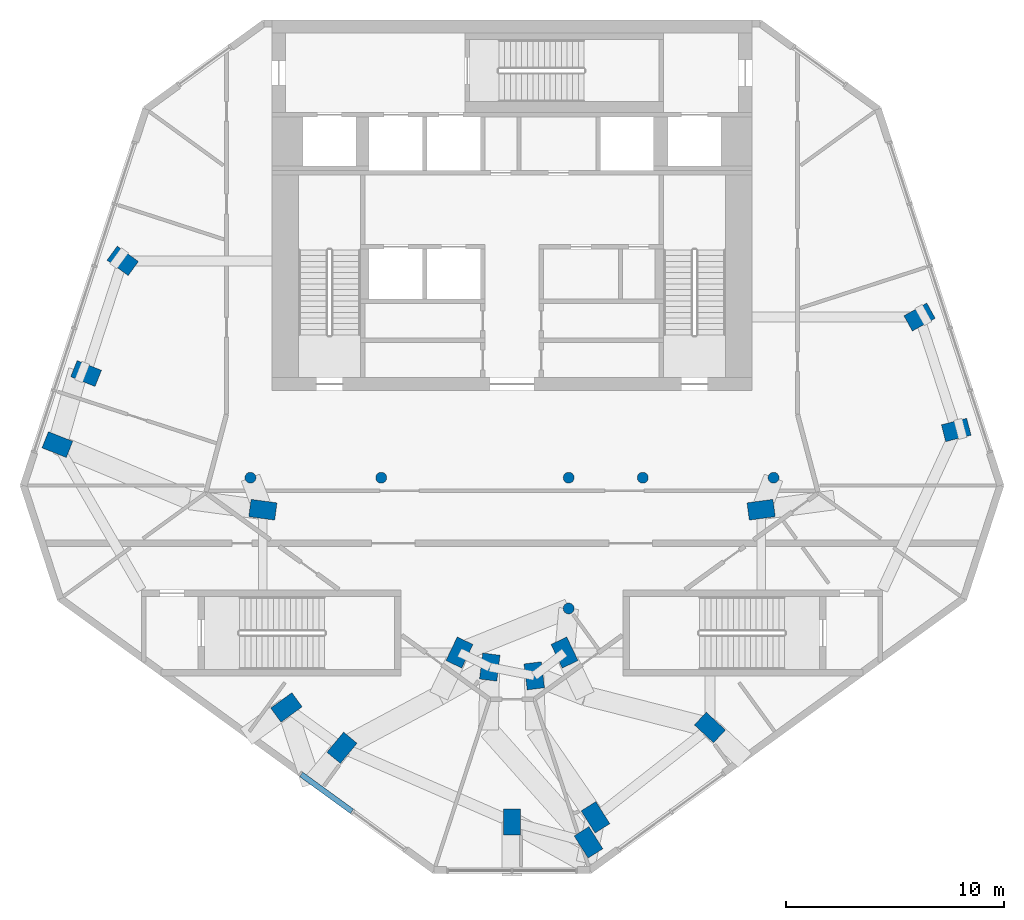
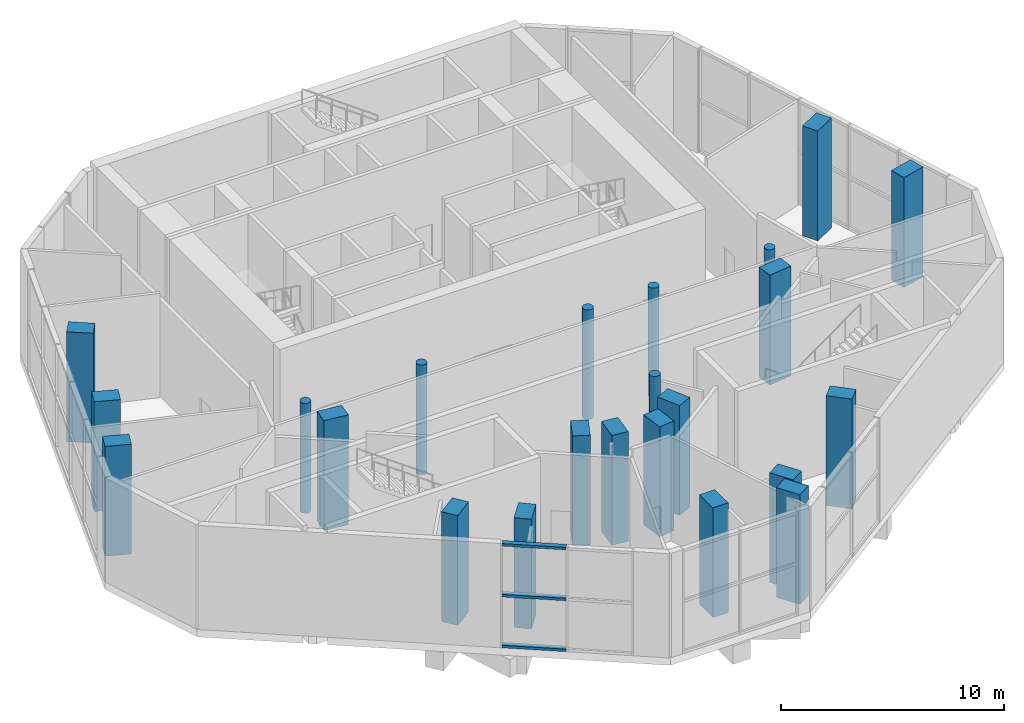
# One storey, part 1 of 11: 23 columns, 3 members, 1 element without a shape of its own.
"""IFC4 building model written with IfcOpenShell, lengths in metres."""

from ifc_helpers import new_model, si_unit, direction, frame, origin, origin_2d, place, context, subcontext, project, spatial, rectangle, circle, extrude, material, material_profile, profile_set, type_object, element, aggregate, save


model = new_model("IFC4")

# Units and contexts
model_context = context("Model", 3, precision=1e-05, world=origin(), true_north=direction((0.0, 1.0)))
body_context = subcontext(model_context, "Body", "Model", "MODEL_VIEW")
ifc_project = project(units=[si_unit("LENGTHUNIT", "METRE"), si_unit("AREAUNIT", "SQUARE_METRE"), si_unit("VOLUMEUNIT", "CUBIC_METRE"), si_unit("PLANEANGLEUNIT", "RADIAN"), si_unit("MASSUNIT", "GRAM", prefix="KILO")], contexts=[model_context])

# Site, building, storey
site_placement = place(None, origin())
site = spatial("IfcSite", under=ifc_project, at=site_placement, CompositionType="ELEMENT")
building_placement = place(site_placement, origin())
building = spatial("IfcBuilding", under=site, at=building_placement, Name="White Candle Pilgrim Tower", CompositionType="ELEMENT")
storey_placement = place(building_placement, frame((0.0, 0.0, 300.10009765625)))
storey = spatial("IfcBuildingStorey", under=building, at=storey_placement, Name="L71", CompositionType="ELEMENT", Elevation=300.10009765625)

# Columns
ifc_material_1 = material(Name="Concrete C60/75", Category="concrete")
ifc_material_profile_1 = material_profile(ifc_material_1, circle(Radius=0.25, at=origin_2d()), Name="RC-COL D500")
ifc_profile_set_1 = profile_set([ifc_material_profile_1], Name="Concrete C60/75")
column_type_1 = type_object("IfcColumnType", Name="Interior column RC-COL D500 C60/75", PredefinedType="COLUMN", material=ifc_profile_set_1)
for number, where, z_axis, x_axis, name in (
    (1, (58.0, 67.0, 0.0), (0.0, 0.0, 1.0), (1.0, 0.0, 0.0), "L71 column I01"),
    (2, (64.0, 67.0, 0.0), (0.0, 0.0, 1.0), (1.0, 0.0, 0.0), "L71 column I02"),
    (3, (72.60009765625, 61.0, 0.0), (0.0, 0.0, 1.0), (1.0, 0.0, 0.0), "L71 column I03"),
    (4, (72.60009765625, 67.0, 0.0), (0.0, 0.0, 1.0), (1.0, 0.0, 0.0), "L71 column I04"),
    (5, (76.0, 67.0, 0.0), (0.0, 0.0, 1.0), (1.0, 0.0, 0.0), "L71 column I05"),
    (6, (82.0, 67.0, 0.0), (0.0, 0.0, 1.0), (1.0, 0.0, 0.0), "L71 column I06"),
):
    element("IfcColumn", number, at=place(storey_placement, frame(where, z_axis=z_axis, x_axis=x_axis)), inside=storey, type_object=column_type_1, Name=name, PredefinedType="COLUMN", context=body_context, shape_type="SweptSolid", body=[
        extrude(circle(Radius=0.25, at=origin_2d()), origin(), (0.0, 0.0, 1.0), 6.0),
    ])
ifc_material_profile_2 = material_profile(ifc_material_1, rectangle(XDim=0.800048828125, YDim=1.199951171875, at=origin_2d()), Name="RC-PR 800x1200")
ifc_profile_set_2 = profile_set([ifc_material_profile_2], Name="Concrete C60/75")
column_type_2 = type_object("IfcColumnType", Name="Perimeter column RC-PR 800x1200 C60/75", PredefinedType="COLUMN", material=ifc_profile_set_2)
for number, where, z_axis, x_axis, name in (
    (7, (59.64990234375, 56.4599609375, 0.0), (0.0, 0.0, 1.0), (-0.58846280644, 0.808524288711, 0.0), "L71 column T01"),
    (8, (62.199951171875, 54.610107421875, 0.0), (0.0, 0.0, 1.0), (-0.769310358735, 0.638875239733, 0.0), "L71 column T02"),
    (9, (70.0, 51.2099609375, 0.0), (0.0, 0.0, 1.0), (-1.0, 0.0, 0.0), "L71 column T03"),
    (10, (73.510009765625, 50.27001953125, 0.0), (0.0, 0.0, 1.0), (-0.845317785834, -0.534263830848, 0.0), "L71 column T04"),
    (11, (73.830078125, 51.419921875, 0.0), (0.0, 0.0, 1.0), (-0.845317785834, -0.534263830848, 0.0), "L71 column T05"),
    (12, (79.080078125, 55.5400390625, 0.0), (0.0, 0.0, 1.0), (-0.681998360062, -0.731353701619, 0.0), "L71 column T06"),
    (13, (90.3798828125, 69.18994140625, 0.0), (0.0, 0.0, 1.0), (0.246880623275, -0.969045900797, 0.0), "L71 column T07"),
    (14, (88.699951171875, 74.3701171875, 0.0), (0.0, 0.0, 1.0), (0.484809620246, -0.874619707139, 0.0), "L71 column T08"),
    (15, (52.139892578125, 76.949951171875, 0.0), (0.0, 0.0, 1.0), (0.587107285614, 0.809509132239, 0.0), "L71 column T09"),
    (16, (50.4599609375, 71.780029296875, 0.0), (0.0, 0.0, 1.0), (0.369860269472, 0.929087391512, 0.0), "L71 column T10"),
    (17, (49.139892578125, 68.52001953125, 0.0), (0.0, 0.0, 1.0), (0.369860269472, 0.929087391512, 0.0), "L71 column T11"),
):
    element("IfcColumn", number, at=place(storey_placement, frame(where, z_axis=z_axis, x_axis=x_axis)), inside=storey, type_object=column_type_2, Name=name, PredefinedType="COLUMN", context=body_context, shape_type="SweptSolid", body=[
        extrude(rectangle(XDim=0.800048828125, YDim=1.199951171875, at=origin_2d()), origin(), (0.0, 0.0, 1.0), 6.0),
    ])
ifc_material_profile_3 = material_profile(ifc_material_1, rectangle(XDim=0.800048828125, YDim=1.199951171875, at=origin_2d()), Name="RC-PR 800x1200")
ifc_profile_set_3 = profile_set([ifc_material_profile_3], Name="Concrete C60/75")
column_type_3 = type_object("IfcColumnType", Name="Ring column RC-PR 800x1200 C60/75", PredefinedType="COLUMN", material=ifc_profile_set_3)
for number, where, z_axis, x_axis, name in (
    (18, (67.590087890625, 58.97998046875, 0.0), (0.0, 0.0, 1.0), (-0.901689191761, 0.43238478403, 0.0), "L71 column R01"),
    (19, (68.97998046875, 58.31005859375, 0.0), (0.0, 0.0, 1.0), (-0.992092811428, 0.125506388335, 0.0), "L71 column R02"),
    (20, (71.02001953125, 57.909912109375, 0.0), (0.0, 0.0, 1.0), (-0.992092811428, -0.125506388335, 0.0), "L71 column R03"),
    (21, (72.409912109375, 58.97998046875, 0.0), (0.0, 0.0, 1.0), (-0.901689191761, -0.43238478403, 0.0), "L71 column R04"),
    (22, (81.429931640625, 65.530029296875, 0.0), (0.0, 0.0, 1.0), (0.132602381688, -0.991169313675, 0.0), "L71 column R05"),
    (23, (58.570068359375, 65.530029296875, 0.0), (0.0, 0.0, 1.0), (0.132602381688, 0.991169313675, 0.0), "L71 column R06"),
):
    element("IfcColumn", number, at=place(storey_placement, frame(where, z_axis=z_axis, x_axis=x_axis)), inside=storey, type_object=column_type_3, Name=name, PredefinedType="COLUMN", context=body_context, shape_type="SweptSolid", body=[
        extrude(rectangle(XDim=0.800048828125, YDim=1.199951171875, at=origin_2d()), origin(), (0.0, 0.0, 1.0), 6.0),
    ])

# Curtain wall, members
ifc_material_2 = material(Name="Aluminium and glass", Category="aluminium")
curtain_wall_type = type_object("IfcCurtainWallType", Name="Curtain wall CW4 sky floor glazing", PredefinedType="NOTDEFINED", material=ifc_material_2)
curtain_wall_placement = place(storey_placement, origin())
curtain_wall = element("IfcCurtainWall", 24, at=curtain_wall_placement, inside=storey, type_object=curtain_wall_type, Name="Curtain wall CW4 L71 SW", PredefinedType="NOTDEFINED")
ifc_material_3 = material(Name="Aluminium", Category="aluminium")
ifc_material_profile_4 = material_profile(ifc_material_3, rectangle(XDim=0.25, YDim=0.139892578125, at=origin_2d()), Name="CW4 transom 140x250")
ifc_profile_set_4 = profile_set([ifc_material_profile_4], Name="Aluminium")
member_type = type_object("IfcMemberType", Name="CW4 transom 140x250", PredefinedType="USERDEFINED", material=ifc_profile_set_4)
member_1_placement = place(storey_placement, frame((60.32666015625, 53.387451171875, 0.06982421875), z_axis=(0.808992618726, -0.587818801032, 0.0), x_axis=(0.587818801032, 0.808992618726, 0.0)))
member_1 = element("IfcMember", 25, at=member_1_placement, type_object=member_type, Name="CW4 transom 1.1", ObjectType="TRANSOM", PredefinedType="USERDEFINED", context=body_context, shape_type="SweptSolid", body=[
    extrude(rectangle(XDim=0.25, YDim=0.139892578125, at=origin_2d()), origin(), (0.0, 0.0, 1.0), 2.8798828125),
])
member_2_placement = place(storey_placement, frame((60.32666015625, 53.387451171875, 2.849853515625), z_axis=(0.808992618726, -0.587818801032, 0.0), x_axis=(0.587818801032, 0.808992618726, 0.0)))
member_2 = element("IfcMember", 26, at=member_2_placement, type_object=member_type, Name="CW4 transom 1.2", ObjectType="TRANSOM", PredefinedType="USERDEFINED", context=body_context, shape_type="SweptSolid", body=[
    extrude(rectangle(XDim=0.25, YDim=0.139892578125, at=origin_2d()), origin(), (0.0, 0.0, 1.0), 2.8798828125),
])
member_3_placement = place(storey_placement, frame((60.32666015625, 53.387451171875, 5.6298828125), z_axis=(0.808992618726, -0.587818801032, 0.0), x_axis=(0.587818801032, 0.808992618726, 0.0)))
member_3 = element("IfcMember", 27, at=member_3_placement, type_object=member_type, Name="CW4 transom 1.3", ObjectType="TRANSOM", PredefinedType="USERDEFINED", context=body_context, shape_type="SweptSolid", body=[
    extrude(rectangle(XDim=0.25, YDim=0.139892578125, at=origin_2d()), origin(), (0.0, 0.0, 1.0), 2.8798828125),
])
aggregate(curtain_wall, [member_1, member_2, member_3])

save(model, "model.ifc")
